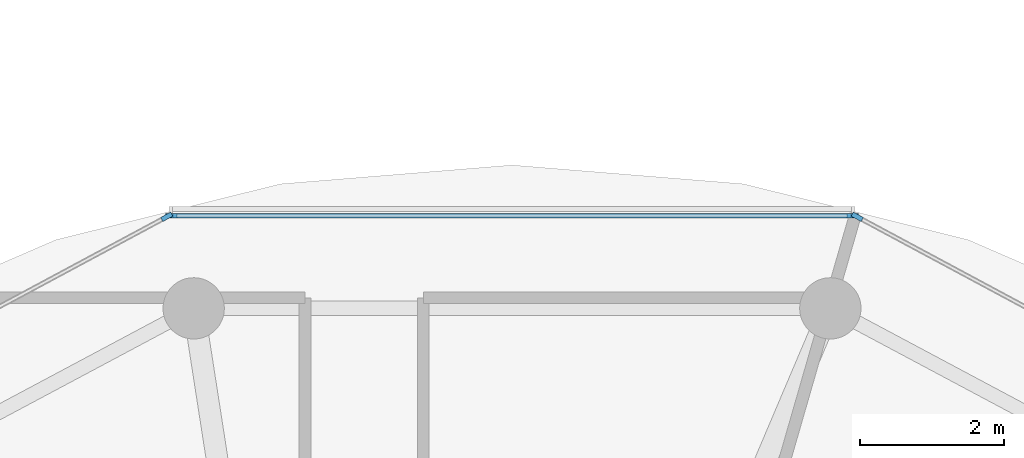
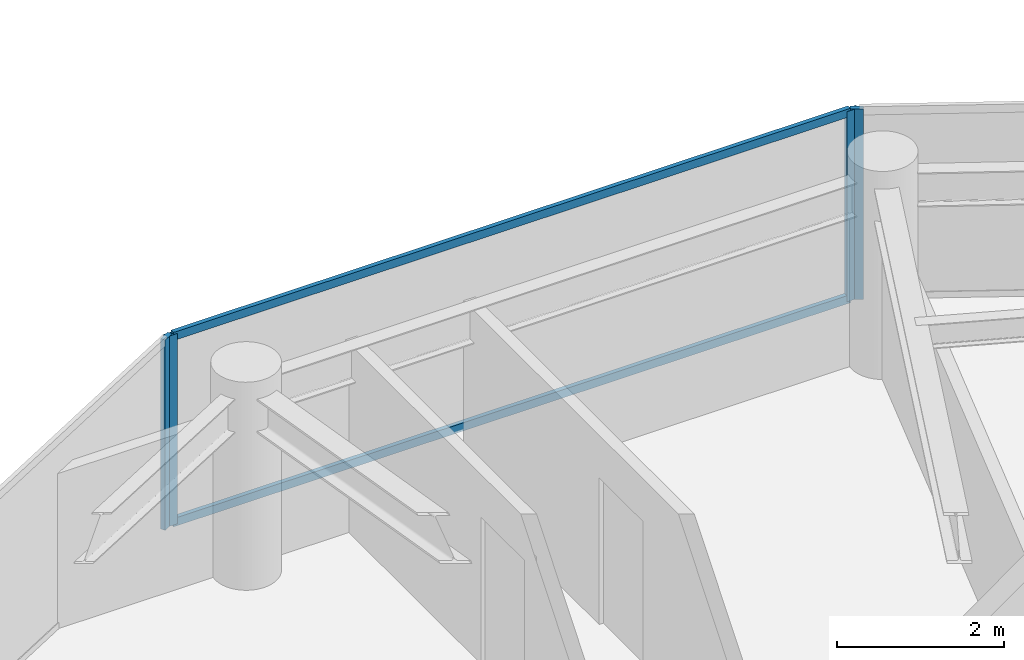
# One storey, part 9 of 24: 6 members, 3 elements without a shape of their own.
"""IFC4 building model written with IfcOpenShell, lengths in metres."""

from ifc_helpers import new_model, si_unit, direction, frame, origin, origin_2d, place, context, subcontext, project, spatial, rectangle, extrude, source, transform, mapped, material, layer, layer_set, material_profile, profile_set, type_object, type_shapes, element, aggregate, save


model = new_model("IFC4")

# Units and contexts
model_context = context("Model", 3, precision=1e-05, world=origin(), true_north=direction((0.0, 1.0)))
body_context = subcontext(model_context, "Body", "Model", "MODEL_VIEW")
ifc_project = project(units=[si_unit("LENGTHUNIT", "METRE"), si_unit("AREAUNIT", "SQUARE_METRE"), si_unit("VOLUMEUNIT", "CUBIC_METRE"), si_unit("PLANEANGLEUNIT", "RADIAN"), si_unit("MASSUNIT", "GRAM", prefix="KILO")], contexts=[model_context])

# Site, building, storey
site_placement = place(None, origin())
site = spatial("IfcSite", under=ifc_project, at=site_placement, CompositionType="ELEMENT")
building_placement = place(site_placement, origin())
building = spatial("IfcBuilding", under=site, at=building_placement, Name="Norrkilde Senior Care Towers", CompositionType="ELEMENT")
storey_placement = place(building_placement, frame((0.0, 0.0, 117.60009765625)))
storey = spatial("IfcBuildingStorey", under=building, at=storey_placement, Name="L36", CompositionType="ELEMENT", Elevation=117.60009765625)

# Curtain wall, member
ifc_material_1 = material(Name="Triple Low-E Insulated Glazing", Category="glass")
ifc_layer = layer(ifc_material_1, 0.195068359375)
ifc_layer_set = layer_set([ifc_layer], Name="Triple Low-E Insulated Glazing")
curtain_wall_type = type_object("IfcCurtainWallType", Name="CW3 Zone 2 Assisted Living Curtain Wall", PredefinedType="NOTDEFINED", material=ifc_layer_set)
curtain_wall_1_placement = place(storey_placement, origin())
curtain_wall_1 = element("IfcCurtainWall", 1, at=curtain_wall_1_placement, inside=storey, type_object=curtain_wall_type, Name="L36 Drum W Curtain Wall 01", PredefinedType="NOTDEFINED")
ifc_material_2 = material(Name="Anodised Aluminium", Category="aluminium")
ifc_material_profile_1 = material_profile(ifc_material_2, rectangle(XDim=0.06494140625, YDim=0.159912109375, at=origin_2d()), Name="ALU MULL 65x160")
ifc_profile_set_1 = profile_set([ifc_material_profile_1], Name="Anodised Aluminium")
member_type_1 = type_object("IfcMemberType", Name="Curtain Wall Mullion Z1-Z2 65x160", PredefinedType="MULLION", material=ifc_profile_set_1)
shared_shape_1 = source(origin(), body_context, "Body", "SweptSolid", [
    extrude(rectangle(XDim=0.06494140625, YDim=0.159912109375, at=origin_2d()), origin(), (0.0, 0.0, 1.0), 2.789794921875),
])
type_shapes(member_type_1, [shared_shape_1])
member_1_placement = place(storey_placement, frame((-21.164306640625, 16.482666015625, 0.0), z_axis=(0.0, 0.0, 1.0), x_axis=(0.472769402511, 0.881186184668, 0.0)))
member_1 = element("IfcMember", 2, at=member_1_placement, type_object=member_type_1, Name="CW-3 mullion 1", PredefinedType="MULLION", context=body_context, shape_type="MappedRepresentation", body=[
    mapped(shared_shape_1, transform((0.0, 0.0, 0.0), x_axis=(1.0, 0.0, 0.0), y_axis=(0.0, 1.0, 0.0), z_axis=(0.0, 0.0, 1.0), scale=1.0)),
])
aggregate(curtain_wall_1, [member_1])

# Curtain wall, members
curtain_wall_2_placement = place(storey_placement, origin())
curtain_wall_2 = element("IfcCurtainWall", 3, at=curtain_wall_2_placement, inside=storey, type_object=curtain_wall_type, Name="L36 Drum W Curtain Wall 02", PredefinedType="NOTDEFINED")
member_2_placement = place(storey_placement, frame((-30.674560546875, 16.498046875, 0.0), z_axis=(0.0, 0.0, 1.0), x_axis=(0.0, 1.0, 0.0)))
member_2 = element("IfcMember", 4, at=member_2_placement, type_object=member_type_1, Name="CW-3 mullion 1", PredefinedType="MULLION", context=body_context, shape_type="MappedRepresentation", body=[
    mapped(shared_shape_1, transform((0.0, 0.0, 0.0), x_axis=(1.0, 0.0, 0.0), y_axis=(0.0, 1.0, 0.0), z_axis=(0.0, 0.0, 1.0), scale=1.0)),
])
member_3_placement = place(storey_placement, frame((-21.225341796875, 16.498046875, 0.0), z_axis=(0.0, 0.0, 1.0), x_axis=(0.0, 1.0, 0.0)))
member_3 = element("IfcMember", 5, at=member_3_placement, type_object=member_type_1, Name="CW-3 mullion 2", PredefinedType="MULLION", context=body_context, shape_type="MappedRepresentation", body=[
    mapped(shared_shape_1, transform((0.0, 0.0, 0.0), x_axis=(1.0, 0.0, 0.0), y_axis=(0.0, 1.0, 0.0), z_axis=(0.0, 0.0, 1.0), scale=1.0)),
])

# Curtain wall, member
curtain_wall_3_placement = place(storey_placement, origin())
curtain_wall_3 = element("IfcCurtainWall", 6, at=curtain_wall_3_placement, inside=storey, type_object=curtain_wall_type, Name="L36 Drum W Curtain Wall 03", PredefinedType="NOTDEFINED")
member_4_placement = place(storey_placement, frame((-30.73583984375, 16.482666015625, 0.0), z_axis=(0.0, 0.0, 1.0), x_axis=(-0.472769402511, 0.881186184668, 0.0)))
member_4 = element("IfcMember", 7, at=member_4_placement, type_object=member_type_1, Name="CW-3 mullion 2", PredefinedType="MULLION", context=body_context, shape_type="MappedRepresentation", body=[
    mapped(shared_shape_1, transform((0.0, 0.0, 0.0), x_axis=(1.0, 0.0, 0.0), y_axis=(0.0, 1.0, 0.0), z_axis=(0.0, 0.0, 1.0), scale=1.0)),
])
aggregate(curtain_wall_3, [member_4])

# Member
ifc_material_profile_2 = material_profile(ifc_material_2, rectangle(XDim=0.06005859375, YDim=0.1201171875, at=origin_2d()), Name="ALU TRAN 60x120")
ifc_profile_set_2 = profile_set([ifc_material_profile_2], Name="Anodised Aluminium")
member_type_2 = type_object("IfcMemberType", Name="Curtain Wall Transom Typical 60x120", PredefinedType="USERDEFINED", material=ifc_profile_set_2)
shared_shape_2 = source(origin(), body_context, "Body", "SweptSolid", [
    extrude(rectangle(XDim=0.06005859375, YDim=0.1201171875, at=origin_2d()), origin(), (0.0, 0.0, 1.0), 9.38427734375),
])
type_shapes(member_type_2, [shared_shape_2])
member_5_placement = place(storey_placement, frame((-30.64208984375, 16.498046875, 0.02978515625), z_axis=(1.0, 0.0, 0.0), x_axis=(0.0, 1.0, 0.0)))
member_5 = element("IfcMember", 8, at=member_5_placement, type_object=member_type_2, Name="CW-3 transom 1.1", ObjectType="TRANSOM", PredefinedType="USERDEFINED", context=body_context, shape_type="MappedRepresentation", body=[
    mapped(shared_shape_2, transform((0.0, 0.0, 0.0), x_axis=(1.0, 0.0, 0.0), y_axis=(0.0, 1.0, 0.0), z_axis=(0.0, 0.0, 1.0), scale=1.0)),
])

member_6_placement = place(storey_placement, frame((-30.64208984375, 16.498046875, 2.760009765625), z_axis=(1.0, 0.0, 0.0), x_axis=(0.0, 1.0, 0.0)))
member_6 = element("IfcMember", 9, at=member_6_placement, type_object=member_type_2, Name="CW-3 transom 1.2", ObjectType="TRANSOM", PredefinedType="USERDEFINED", context=body_context, shape_type="MappedRepresentation", body=[
    mapped(shared_shape_2, transform((0.0, 0.0, 0.0), x_axis=(1.0, 0.0, 0.0), y_axis=(0.0, 1.0, 0.0), z_axis=(0.0, 0.0, 1.0), scale=1.0)),
])

aggregate(curtain_wall_2, [member_2, member_3, member_5, member_6])

save(model, "model.ifc")
